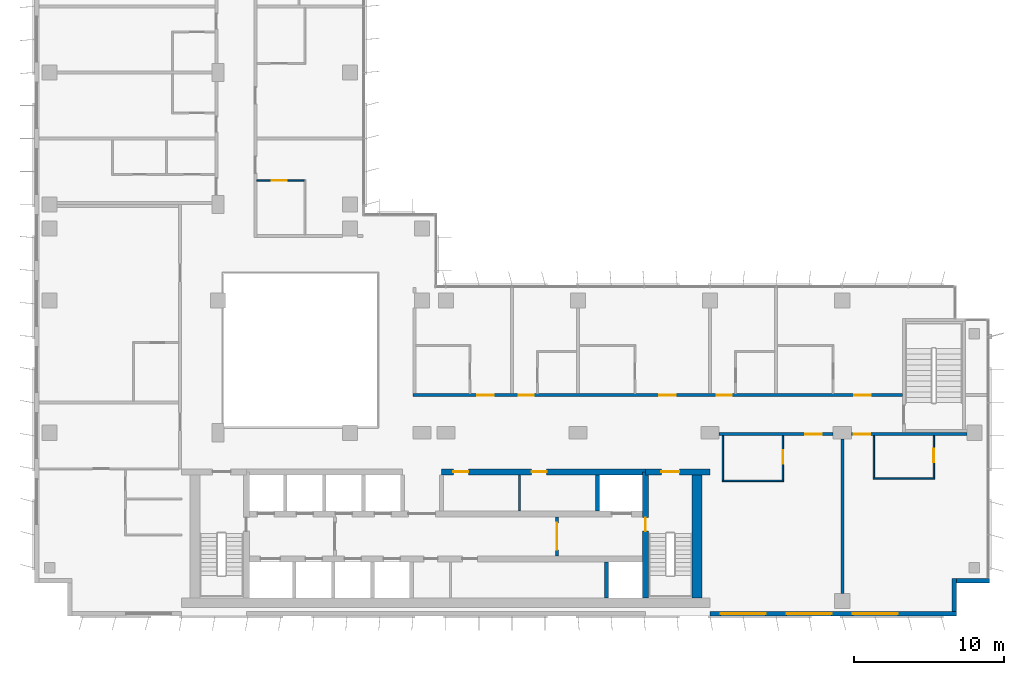
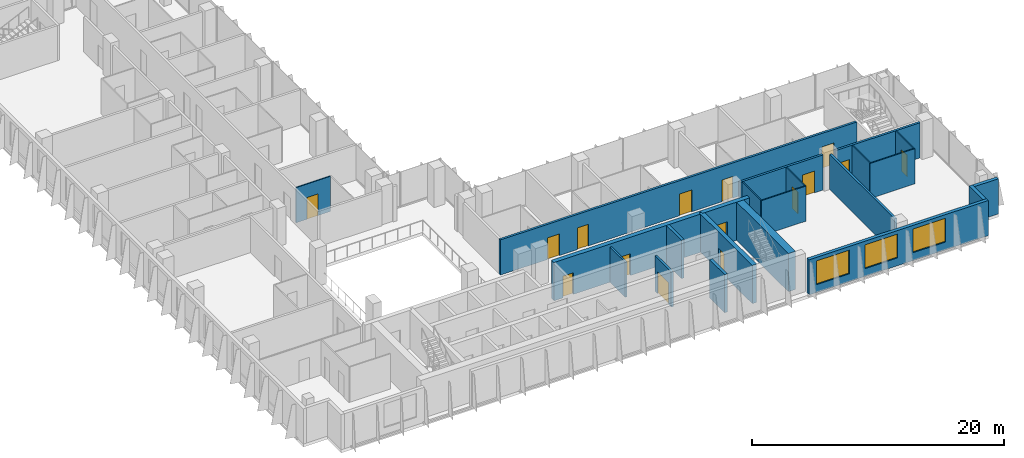
# One storey, part 14 of 21: 22 walls, 15 doors, 3 windows, 18 openings.
"""IFC4 building model written with IfcOpenShell, lengths in metres."""

from ifc_helpers import new_model, si_unit, direction, frame, frame_2d, origin, place, context, subcontext, project, spatial, rectangle, extrude, material, layer, layer_set, type_object, element, fill, save


model = new_model("IFC4")

# Units and contexts
model_context = context("Model", 3, precision=1e-05, world=origin(), true_north=direction((0.0, 1.0)))
body_context = subcontext(model_context, "Body", "Model", "MODEL_VIEW")
ifc_project = project(units=[si_unit("LENGTHUNIT", "METRE"), si_unit("AREAUNIT", "SQUARE_METRE"), si_unit("VOLUMEUNIT", "CUBIC_METRE"), si_unit("PLANEANGLEUNIT", "RADIAN"), si_unit("MASSUNIT", "GRAM", prefix="KILO")], contexts=[model_context])

# Site, building, storey
site_placement = place(None, origin())
site = spatial("IfcSite", under=ifc_project, at=site_placement, CompositionType="ELEMENT")
building_placement = place(site_placement, origin())
building = spatial("IfcBuilding", under=site, at=building_placement, Name="Kemantara Hotel Tower", CompositionType="ELEMENT")
storey_placement = place(building_placement, frame((0.0, 0.0, 164.199951171875)))
storey = spatial("IfcBuildingStorey", under=building, at=storey_placement, Name="L40", CompositionType="ELEMENT", Elevation=164.199951171875)

# Wall, openings, windows
ifc_material_1 = material(Name="Bronze anodised aluminium cladding on insulated steel stud wall", Category="steel")
ifc_layer_1 = layer(ifc_material_1, 0.300048828125)
ifc_layer_set_1 = layer_set([ifc_layer_1], Name="Bronze anodised aluminium cladding on insulated steel stud wall")
wall_type_1 = type_object("IfcWallType", Name="BRONZE METAL-CLAD EXTERNAL WALL 300", PredefinedType="STANDARD", material=ifc_layer_set_1)
wall_1_placement = place(storey_placement, frame((45.0, 0.14990234375, 0.0), z_axis=(0.0, 0.0, 1.0), x_axis=(1.0, 0.0, 0.0)))
wall_1 = element("IfcWall", 1, at=wall_1_placement, inside=storey, type_object=wall_type_1, Name="EXTERNAL WALL L40 T3-R08-3", PredefinedType="STANDARD", context=body_context, shape_type="SweptSolid", body=[
    extrude(rectangle(XDim=16.39990234375, YDim=0.300048828125, at=frame_2d((8.199951171875, 0.0))), origin(), (0.0, 0.0, 1.0), 3.400146484375),
])
opening_1_placement = place(wall_1_placement, frame((0.699951171875, 0.0, 0.75)))
opening_1 = element("IfcOpeningElement", 2, at=opening_1_placement, cuts=wall_1, Name="Opening W1", PredefinedType="OPENING", context=body_context, shape_type="SweptSolid", body=[
    extrude(rectangle(XDim=3.0, YDim=2.300048828125, at=frame_2d((1.5, 1.14990234375))), frame((0.0, 0.159912109375, 0.0), z_axis=(0.0, -1.0, 0.0), x_axis=(1.0, 0.0, 0.0)), (0.0, 0.0, 1.0), 0.320068359375),
])
opening_2_placement = place(wall_1_placement, frame((5.10009765625, 0.0, 0.75)))
opening_2 = element("IfcOpeningElement", 3, at=opening_2_placement, cuts=wall_1, Name="Opening W1", PredefinedType="OPENING", context=body_context, shape_type="SweptSolid", body=[
    extrude(rectangle(XDim=3.0, YDim=2.300048828125, at=frame_2d((1.5, 1.14990234375))), frame((0.0, 0.159912109375, 0.0), z_axis=(0.0, -1.0, 0.0), x_axis=(1.0, 0.0, 0.0)), (0.0, 0.0, 1.0), 0.320068359375),
])
opening_3_placement = place(wall_1_placement, frame((9.5, 0.0, 0.75)))
opening_3 = element("IfcOpeningElement", 4, at=opening_3_placement, cuts=wall_1, Name="Opening W1", PredefinedType="OPENING", context=body_context, shape_type="SweptSolid", body=[
    extrude(rectangle(XDim=3.0, YDim=2.300048828125, at=frame_2d((1.5, 1.14990234375))), frame((0.0, 0.159912109375, 0.0), z_axis=(0.0, -1.0, 0.0), x_axis=(1.0, 0.0, 0.0)), (0.0, 0.0, 1.0), 0.320068359375),
])
ifc_material_2 = material(Name="Low-E tinted double insulated glass in bronze anodised aluminium frame", Category="aluminium")
window_type = type_object("IfcWindowType", Name="CHICAGO WINDOW, TRIPLE PANEL 3000x2300", PartitioningType="TRIPLE_PANEL_VERTICAL", PredefinedType="WINDOW", material=ifc_material_2)
window_1_placement = place(opening_1_placement, origin())
window_1 = element("IfcWindow", 5, at=window_1_placement, inside=storey, type_object=window_type, Name="CHICAGO WINDOW L40 T3-R08-450", OverallHeight=2.300048828125, OverallWidth=3.0, PartitioningType="SINGLE_PANEL", PredefinedType="WINDOW", context=body_context, shape_type="SweptSolid", body=[
    extrude(rectangle(XDim=3.0, YDim=2.300048828125, at=frame_2d((1.5, 1.14990234375))), frame((0.0, 0.030029296875, 0.0), z_axis=(0.0, -1.0, 0.0), x_axis=(1.0, 0.0, 0.0)), (0.0, 0.0, 1.0), 0.06005859375),
])
fill(opening_1, window_1)
window_2_placement = place(opening_2_placement, origin())
window_2 = element("IfcWindow", 6, at=window_2_placement, inside=storey, type_object=window_type, Name="CHICAGO WINDOW L40 T3-R08-494", OverallHeight=2.300048828125, OverallWidth=3.0, PartitioningType="SINGLE_PANEL", PredefinedType="WINDOW", context=body_context, shape_type="SweptSolid", body=[
    extrude(rectangle(XDim=3.0, YDim=2.300048828125, at=frame_2d((1.5, 1.14990234375))), frame((0.0, 0.030029296875, 0.0), z_axis=(0.0, -1.0, 0.0), x_axis=(1.0, 0.0, 0.0)), (0.0, 0.0, 1.0), 0.06005859375),
])
fill(opening_2, window_2)
window_3_placement = place(opening_3_placement, origin())
window_3 = element("IfcWindow", 7, at=window_3_placement, inside=storey, type_object=window_type, Name="CHICAGO WINDOW L40 T3-R08-538", OverallHeight=2.300048828125, OverallWidth=3.0, PartitioningType="SINGLE_PANEL", PredefinedType="WINDOW", context=body_context, shape_type="SweptSolid", body=[
    extrude(rectangle(XDim=3.0, YDim=2.300048828125, at=frame_2d((1.5, 1.14990234375))), frame((0.0, 0.030029296875, 0.0), z_axis=(0.0, -1.0, 0.0), x_axis=(1.0, 0.0, 0.0)), (0.0, 0.0, 1.0), 0.06005859375),
])
fill(opening_3, window_3)

# Walls
wall_2_placement = place(storey_placement, frame((61.25, 0.300048828125, 0.0), z_axis=(0.0, 0.0, 1.0), x_axis=(0.0, 1.0, 0.0)))
element("IfcWall", 8, at=wall_2_placement, inside=storey, type_object=wall_type_1, Name="EXTERNAL WALL L40 T3-R09", PredefinedType="STANDARD", context=body_context, shape_type="SweptSolid", body=[
    extrude(rectangle(XDim=2.199951171875, YDim=0.300048828125, at=frame_2d((1.10009765625, 0.0))), origin(), (0.0, 0.0, 1.0), 3.400146484375),
])
wall_3_placement = place(storey_placement, frame((61.39990234375, 2.35009765625, 0.0), z_axis=(0.0, 0.0, 1.0), x_axis=(1.0, 0.0, 0.0)))
element("IfcWall", 9, at=wall_3_placement, inside=storey, type_object=wall_type_1, Name="EXTERNAL WALL L40 T3-R10", PredefinedType="STANDARD", context=body_context, shape_type="SweptSolid", body=[
    extrude(rectangle(XDim=2.2001953125, YDim=0.300048828125, at=frame_2d((1.10009765625, 0.0))), origin(), (0.0, 0.0, 1.0), 3.400146484375),
])
ifc_material_3 = material(Name="Concrete fc 60 MPa", Category="concrete")
ifc_layer_2 = layer(ifc_material_3, 0.25)
ifc_layer_set_2 = layer_set([ifc_layer_2], Name="Concrete fc 60 MPa")
wall_type_2 = type_object("IfcWallType", Name="CORE WALL 250 FC60", PredefinedType="SHEAR", material=ifc_layer_set_2)
wall_4_placement = place(storey_placement, frame((38.10009765625, 1.199951171875, 0.0), z_axis=(0.0, 0.0, 1.0), x_axis=(0.0, 1.0, 0.0)))
element("IfcWall", 10, at=wall_4_placement, inside=storey, type_object=wall_type_2, Name="CORE WALL CW-DS38.1", PredefinedType="SHEAR", context=body_context, shape_type="SweptSolid", body=[
    extrude(rectangle(XDim=2.400146484375, YDim=0.25, at=frame_2d((1.2001953125, 0.0))), origin(), (0.0, 0.0, 1.0), 3.699951171875),
])
wall_5_placement = place(storey_placement, frame((37.5, 7.0, 0.0), z_axis=(0.0, 0.0, 1.0), x_axis=(0.0, 1.0, 0.0)))
element("IfcWall", 11, at=wall_5_placement, inside=storey, type_object=wall_type_2, Name="CORE WALL CW-DN37.5", PredefinedType="SHEAR", context=body_context, shape_type="SweptSolid", body=[
    extrude(rectangle(XDim=2.39990234375, YDim=0.25, at=frame_2d((1.199951171875, 0.0))), origin(), (0.0, 0.0, 1.0), 3.699951171875),
])

# Wall, opening, door
ifc_layer_3 = layer(ifc_material_3, 0.39990234375)
ifc_layer_set_3 = layer_set([ifc_layer_3], Name="Concrete fc 60 MPa")
wall_type_3 = type_object("IfcWallType", Name="CORE WALL 400 FC60", PredefinedType="SHEAR", material=ifc_layer_set_3)
wall_6_placement = place(storey_placement, frame((40.699951171875, 9.60009765625, 0.0), z_axis=(0.0, 0.0, 1.0), x_axis=(1.0, 0.0, 0.0)))
wall_6 = element("IfcWall", 12, at=wall_6_placement, inside=storey, type_object=wall_type_3, Name="CORE WALL CW-N2", PredefinedType="SHEAR", context=body_context, shape_type="SweptSolid", body=[
    extrude(rectangle(XDim=4.300048828125, YDim=0.39990234375, at=frame_2d((2.14990234375, 0.0))), origin(), (0.0, 0.0, 1.0), 3.699951171875),
])
opening_4_placement = place(wall_6_placement, frame((1.050048828125, 0.0, 0.0)))
opening_4 = element("IfcOpeningElement", 13, at=opening_4_placement, cuts=wall_6, Name="Opening C25-ST2-C", PredefinedType="OPENING", context=body_context, shape_type="SweptSolid", body=[
    extrude(rectangle(XDim=1.199951171875, YDim=2.10009765625, at=frame_2d((0.60009765625, 1.050048828125))), frame((0.0, 0.2099609375, 0.0), z_axis=(0.0, -1.0, 0.0), x_axis=(1.0, 0.0, 0.0)), (0.0, 0.0, 1.0), 0.419921875),
])
ifc_material_4 = material(Name="Steel fire door", Category="steel")
door_type_1 = type_object("IfcDoorType", Name="Fire door FD90 1200 x 2100", OperationType="NOTDEFINED", PredefinedType="DOOR", material=ifc_material_4)
door_1_placement = place(opening_4_placement, frame((1.199951171875, 0.0, 0.0), z_axis=(0.0, 0.0, 1.0), x_axis=(-1.0, 0.0, 0.0)))
door_1 = element("IfcDoor", 14, at=door_1_placement, inside=storey, type_object=door_type_1, Name="Stair ST2 door to corridor", OperationType="SINGLE_SWING_RIGHT", OverallHeight=2.10009765625, OverallWidth=1.199951171875, PredefinedType="DOOR", context=body_context, shape_type="SweptSolid", body=[
    extrude(rectangle(XDim=1.199951171875, YDim=2.10009765625, at=frame_2d((0.60009765625, 1.050048828125))), frame((0.0, 0.02490234375, 0.0), z_axis=(0.0, -1.0, 0.0), x_axis=(1.0, 0.0, 0.0)), (0.0, 0.0, 1.0), 0.050048828125),
])
fill(opening_4, door_1)

# Wall, openings, doors
wall_7_placement = place(storey_placement, frame((27.10009765625, 9.60009765625, 0.0), z_axis=(0.0, 0.0, 1.0), x_axis=(1.0, 0.0, 0.0)))
wall_7 = element("IfcWall", 15, at=wall_7_placement, inside=storey, type_object=wall_type_3, Name="CORE WALL CW-NN2", PredefinedType="SHEAR", context=body_context, shape_type="SweptSolid", body=[
    extrude(rectangle(XDim=13.599853515625, YDim=0.39990234375, at=frame_2d((6.7998046875, 0.0))), origin(), (0.0, 0.0, 1.0), 3.699951171875),
])
opening_5_placement = place(wall_7_placement, frame((0.800048828125, 0.0, 0.0)))
opening_5 = element("IfcOpeningElement", 16, at=opening_5_placement, cuts=wall_7, Name="Opening C25-R-NE1", PredefinedType="OPENING", context=body_context, shape_type="SweptSolid", body=[
    extrude(rectangle(XDim=1.0, YDim=2.10009765625, at=frame_2d((0.5, 1.050048828125))), frame((0.0, 0.2099609375, 0.0), z_axis=(0.0, -1.0, 0.0), x_axis=(1.0, 0.0, 0.0)), (0.0, 0.0, 1.0), 0.419921875),
])
opening_6_placement = place(wall_7_placement, frame((6.0, 0.0, 0.0)))
opening_6 = element("IfcOpeningElement", 17, at=opening_6_placement, cuts=wall_7, Name="Opening C25-R-NE2", PredefinedType="OPENING", context=body_context, shape_type="SweptSolid", body=[
    extrude(rectangle(XDim=1.0, YDim=2.10009765625, at=frame_2d((0.5, 1.050048828125))), frame((0.0, 0.2099609375, 0.0), z_axis=(0.0, -1.0, 0.0), x_axis=(1.0, 0.0, 0.0)), (0.0, 0.0, 1.0), 0.419921875),
])
door_type_2 = type_object("IfcDoorType", Name="Fire door FD30S 1000 x 2100", OperationType="NOTDEFINED", PredefinedType="DOOR", material=ifc_material_4)
door_2_placement = place(opening_5_placement, frame((1.0, 0.0, 0.0), z_axis=(0.0, 0.0, 1.0), x_axis=(-1.0, 0.0, 0.0)))
door_2 = element("IfcDoor", 18, at=door_2_placement, inside=storey, type_object=door_type_2, Name="Housekeeping Store door", OperationType="SINGLE_SWING_RIGHT", OverallHeight=2.10009765625, OverallWidth=1.0, PredefinedType="DOOR", context=body_context, shape_type="SweptSolid", body=[
    extrude(rectangle(XDim=1.0, YDim=2.10009765625, at=frame_2d((0.5, 1.050048828125))), frame((0.0, 0.02490234375, 0.0), z_axis=(0.0, -1.0, 0.0), x_axis=(1.0, 0.0, 0.0)), (0.0, 0.0, 1.0), 0.050048828125),
])
fill(opening_5, door_2)
door_type_3 = type_object("IfcDoorType", Name="Fire door FD60 1000 x 2100", OperationType="NOTDEFINED", PredefinedType="DOOR", material=ifc_material_4)
door_3_placement = place(opening_6_placement, frame((1.0, 0.0, 0.0), z_axis=(0.0, 0.0, 1.0), x_axis=(-1.0, 0.0, 0.0)))
door_3 = element("IfcDoor", 19, at=door_3_placement, inside=storey, type_object=door_type_3, Name="It Equipment Room door", OperationType="SINGLE_SWING_RIGHT", OverallHeight=2.10009765625, OverallWidth=1.0, PredefinedType="DOOR", context=body_context, shape_type="SweptSolid", body=[
    extrude(rectangle(XDim=1.0, YDim=2.10009765625, at=frame_2d((0.5, 1.050048828125))), frame((0.0, 0.02490234375, 0.0), z_axis=(0.0, -1.0, 0.0), x_axis=(1.0, 0.0, 0.0)), (0.0, 0.0, 1.0), 0.050048828125),
])
fill(opening_6, door_3)

# Wall, opening, door
wall_8_placement = place(storey_placement, frame((40.699951171875, 1.199951171875, 0.0), z_axis=(0.0, 0.0, 1.0), x_axis=(0.0, 1.0, 0.0)))
wall_8 = element("IfcWall", 20, at=wall_8_placement, inside=storey, type_object=wall_type_3, Name="CORE WALL CW-ST2W", PredefinedType="SHEAR", context=body_context, shape_type="SweptSolid", body=[
    extrude(rectangle(XDim=8.400146484375, YDim=0.39990234375, at=frame_2d((4.2001953125, 0.0))), origin(), (0.0, 0.0, 1.0), 3.699951171875),
])
opening_7_placement = place(wall_8_placement, frame((4.449951171875, 0.0, 0.0)))
opening_7 = element("IfcOpeningElement", 21, at=opening_7_placement, cuts=wall_8, Name="Opening C25-ST2-F", PredefinedType="OPENING", context=body_context, shape_type="SweptSolid", body=[
    extrude(rectangle(XDim=0.89990234375, YDim=2.10009765625, at=frame_2d((0.449951171875, 1.050048828125))), frame((0.0, 0.2099609375, 0.0), z_axis=(0.0, -1.0, 0.0), x_axis=(1.0, 0.0, 0.0)), (0.0, 0.0, 1.0), 0.419921875),
])
door_type_4 = type_object("IfcDoorType", Name="Fire door FD90 900 x 2100", OperationType="NOTDEFINED", PredefinedType="DOOR", material=ifc_material_4)
door_4_placement = place(opening_7_placement, frame((0.89990234375, 0.0, 0.0), z_axis=(0.0, 0.0, 1.0), x_axis=(-1.0, 0.0, 0.0)))
door_4 = element("IfcDoor", 22, at=door_4_placement, inside=storey, type_object=door_type_4, Name="Stair ST2 door to firefighting lobby", OperationType="SINGLE_SWING_LEFT", OverallHeight=2.10009765625, OverallWidth=0.89990234375, PredefinedType="DOOR", context=body_context, shape_type="SweptSolid", body=[
    extrude(rectangle(XDim=0.89990234375, YDim=2.10009765625, at=frame_2d((0.449951171875, 1.050048828125))), frame((0.0, 0.02490234375, 0.0), z_axis=(0.0, -1.0, 0.0), x_axis=(1.0, 0.0, 0.0)), (0.0, 0.0, 1.0), 0.050048828125),
])
fill(opening_7, door_4)

# Wall
ifc_layer_4 = layer(ifc_material_3, 0.64990234375)
ifc_layer_set_4 = layer_set([ifc_layer_4], Name="Concrete fc 60 MPa")
wall_type_4 = type_object("IfcWallType", Name="CORE WALL 650 FC60", PredefinedType="SHEAR", material=ifc_layer_set_4)
wall_9_placement = place(storey_placement, frame((44.125, 1.199951171875, 0.0), z_axis=(0.0, 0.0, 1.0), x_axis=(0.0, 1.0, 0.0)))
element("IfcWall", 23, at=wall_9_placement, inside=storey, type_object=wall_type_4, Name="CORE WALL CW-E", PredefinedType="SHEAR", context=body_context, shape_type="SweptSolid", body=[
    extrude(rectangle(XDim=8.60009765625, YDim=0.64990234375, at=frame_2d((4.300048828125, 0.0))), origin(), (0.0, 0.0, 1.0), 3.699951171875),
])

# Wall, opening, door
ifc_material_5 = material(Name="Gypsum board partition, steel studs and mineral wool, 200 mm", Category="steel")
ifc_layer_5 = layer(ifc_material_5, 0.199951171875)
ifc_layer_set_5 = layer_set([ifc_layer_5], Name="Gypsum board partition, steel studs and mineral wool, 200 mm")
wall_type_5 = type_object("IfcWallType", Name="CORRIDOR WALL 200", PredefinedType="PARTITIONING", material=ifc_layer_set_5)
wall_10_placement = place(storey_placement, frame((53.199951171875, 12.10009765625, 0.0), z_axis=(0.0, 0.0, 1.0), x_axis=(-1.0, 0.0, 0.0)))
wall_10 = element("IfcWall", 24, at=wall_10_placement, inside=storey, type_object=wall_type_5, Name="CORRIDOR WALL 200 001", PredefinedType="PARTITIONING", context=body_context, shape_type="SweptSolid", body=[
    extrude(rectangle(XDim=7.599853515625, YDim=0.199951171875, at=frame_2d((3.7998046875, 0.0))), origin(), (0.0, 0.0, 1.0), 3.400146484375),
])
opening_8_placement = place(wall_10_placement, frame((0.75, 0.0, 0.0)))
opening_8 = element("IfcOpeningElement", 25, at=opening_8_placement, cuts=wall_10, Name="Opening F18-001", PredefinedType="OPENING", context=body_context, shape_type="SweptSolid", body=[
    extrude(rectangle(XDim=1.10009765625, YDim=2.10009765625, at=frame_2d((0.550048828125, 1.050048828125))), frame((0.0, 0.10986328125, 0.0), z_axis=(0.0, -1.0, 0.0), x_axis=(1.0, 0.0, 0.0)), (0.0, 0.0, 1.0), 0.219970703125),
])
ifc_material_6 = material(Name="Hardwood veneer door leaf with steel frame", Category="steel")
door_type_5 = type_object("IfcDoorType", Name="SUITE ENTRANCE DOOR 1100 X 2100 FD30S", OperationType="NOTDEFINED", PredefinedType="DOOR", material=ifc_material_6)
door_5_placement = place(opening_8_placement, origin())
door_5 = element("IfcDoor", 26, at=door_5_placement, inside=storey, type_object=door_type_5, Name="SUITE ENTRANCE DOOR F18-001", OperationType="SINGLE_SWING_LEFT", OverallHeight=2.10009765625, OverallWidth=1.10009765625, PredefinedType="DOOR", context=body_context, shape_type="SweptSolid", body=[
    extrude(rectangle(XDim=1.10009765625, YDim=2.10009765625, at=frame_2d((0.550048828125, 1.050048828125))), frame((0.0, 0.02490234375, 0.0), z_axis=(0.0, -1.0, 0.0), x_axis=(1.0, 0.0, 0.0)), (0.0, 0.0, 1.0), 0.050048828125),
])
fill(opening_8, door_5)

wall_11_placement = place(storey_placement, frame((62.099853515625, 12.10009765625, 0.0), z_axis=(0.0, 0.0, 1.0), x_axis=(-1.0, 0.0, 0.0)))
wall_11 = element("IfcWall", 27, at=wall_11_placement, inside=storey, type_object=wall_type_5, Name="CORRIDOR WALL 200 002", PredefinedType="PARTITIONING", context=body_context, shape_type="SweptSolid", body=[
    extrude(rectangle(XDim=7.69970703125, YDim=0.199951171875, at=frame_2d((3.849853515625, 0.0))), origin(), (0.0, 0.0, 1.0), 3.400146484375),
])
opening_9_placement = place(wall_11_placement, frame((6.449951171875, 0.0, 0.0)))
opening_9 = element("IfcOpeningElement", 28, at=opening_9_placement, cuts=wall_11, Name="Opening F18-003", PredefinedType="OPENING", context=body_context, shape_type="SweptSolid", body=[
    extrude(rectangle(XDim=1.10009765625, YDim=2.10009765625, at=frame_2d((0.550048828125, 1.050048828125))), frame((0.0, 0.10986328125, 0.0), z_axis=(0.0, -1.0, 0.0), x_axis=(1.0, 0.0, 0.0)), (0.0, 0.0, 1.0), 0.219970703125),
])
door_6_placement = place(opening_9_placement, origin())
door_6 = element("IfcDoor", 29, at=door_6_placement, inside=storey, type_object=door_type_5, Name="SUITE ENTRANCE DOOR F18-003", OperationType="SINGLE_SWING_LEFT", OverallHeight=2.10009765625, OverallWidth=1.10009765625, PredefinedType="DOOR", context=body_context, shape_type="SweptSolid", body=[
    extrude(rectangle(XDim=1.10009765625, YDim=2.10009765625, at=frame_2d((0.550048828125, 1.050048828125))), frame((0.0, 0.02490234375, 0.0), z_axis=(0.0, -1.0, 0.0), x_axis=(1.0, 0.0, 0.0)), (0.0, 0.0, 1.0), 0.050048828125),
])
fill(opening_9, door_6)

# Wall, openings, doors
wall_12_placement = place(storey_placement, frame((25.199951171875, 14.699951171875, 0.0), z_axis=(0.0, 0.0, 1.0), x_axis=(1.0, 0.0, 0.0)))
wall_12 = element("IfcWall", 30, at=wall_12_placement, inside=storey, type_object=wall_type_5, Name="CORRIDOR WALL 200 004", PredefinedType="PARTITIONING", context=body_context, shape_type="SweptSolid", body=[
    extrude(rectangle(XDim=32.60009765625, YDim=0.199951171875, at=frame_2d((16.300048828125, 0.0))), origin(), (0.0, 0.0, 1.0), 3.400146484375),
])
opening_10_placement = place(wall_12_placement, frame((4.300048828125, 0.0, 0.0)))
opening_10 = element("IfcOpeningElement", 31, at=opening_10_placement, cuts=wall_12, Name="Opening F18-005", PredefinedType="OPENING", context=body_context, shape_type="SweptSolid", body=[
    extrude(rectangle(XDim=1.10009765625, YDim=2.10009765625, at=frame_2d((0.550048828125, 1.050048828125))), frame((0.0, 0.10986328125, 0.0), z_axis=(0.0, -1.0, 0.0), x_axis=(1.0, 0.0, 0.0)), (0.0, 0.0, 1.0), 0.219970703125),
])
opening_11_placement = place(wall_12_placement, frame((7.050048828125, 0.0, 0.0)))
opening_11 = element("IfcOpeningElement", 32, at=opening_11_placement, cuts=wall_12, Name="Opening F18-007", PredefinedType="OPENING", context=body_context, shape_type="SweptSolid", body=[
    extrude(rectangle(XDim=1.0, YDim=2.10009765625, at=frame_2d((0.5, 1.050048828125))), frame((0.0, 0.10986328125, 0.0), z_axis=(0.0, -1.0, 0.0), x_axis=(1.0, 0.0, 0.0)), (0.0, 0.0, 1.0), 0.219970703125),
])
opening_12_placement = place(wall_12_placement, frame((16.39990234375, 0.0, 0.0)))
opening_12 = element("IfcOpeningElement", 33, at=opening_12_placement, cuts=wall_12, Name="Opening F18-009", PredefinedType="OPENING", context=body_context, shape_type="SweptSolid", body=[
    extrude(rectangle(XDim=1.10009765625, YDim=2.10009765625, at=frame_2d((0.550048828125, 1.050048828125))), frame((0.0, 0.10986328125, 0.0), z_axis=(0.0, -1.0, 0.0), x_axis=(1.0, 0.0, 0.0)), (0.0, 0.0, 1.0), 0.219970703125),
])
opening_13_placement = place(wall_12_placement, frame((20.25, 0.0, 0.0)))
opening_13 = element("IfcOpeningElement", 34, at=opening_13_placement, cuts=wall_12, Name="Opening F18-011", PredefinedType="OPENING", context=body_context, shape_type="SweptSolid", body=[
    extrude(rectangle(XDim=1.0, YDim=2.10009765625, at=frame_2d((0.5, 1.050048828125))), frame((0.0, 0.10986328125, 0.0), z_axis=(0.0, -1.0, 0.0), x_axis=(1.0, 0.0, 0.0)), (0.0, 0.0, 1.0), 0.219970703125),
])
opening_14_placement = place(wall_12_placement, frame((29.39990234375, 0.0, 0.0)))
opening_14 = element("IfcOpeningElement", 35, at=opening_14_placement, cuts=wall_12, Name="Opening F18-013", PredefinedType="OPENING", context=body_context, shape_type="SweptSolid", body=[
    extrude(rectangle(XDim=1.10009765625, YDim=2.10009765625, at=frame_2d((0.550048828125, 1.050048828125))), frame((0.0, 0.10986328125, 0.0), z_axis=(0.0, -1.0, 0.0), x_axis=(1.0, 0.0, 0.0)), (0.0, 0.0, 1.0), 0.219970703125),
])
door_type_6 = type_object("IfcDoorType", Name="GUEST ROOM DOOR 1000 X 2100 FD30S", OperationType="NOTDEFINED", PredefinedType="DOOR", material=ifc_material_6)
door_7_placement = place(opening_11_placement, origin())
door_7 = element("IfcDoor", 36, at=door_7_placement, inside=storey, type_object=door_type_6, Name="GUEST ROOM DOOR F18-007", OperationType="SINGLE_SWING_LEFT", OverallHeight=2.10009765625, OverallWidth=1.0, PredefinedType="DOOR", context=body_context, shape_type="SweptSolid", body=[
    extrude(rectangle(XDim=1.0, YDim=2.10009765625, at=frame_2d((0.5, 1.050048828125))), frame((0.0, 0.02490234375, 0.0), z_axis=(0.0, -1.0, 0.0), x_axis=(1.0, 0.0, 0.0)), (0.0, 0.0, 1.0), 0.050048828125),
])
fill(opening_11, door_7)
door_8_placement = place(opening_13_placement, origin())
door_8 = element("IfcDoor", 37, at=door_8_placement, inside=storey, type_object=door_type_6, Name="GUEST ROOM DOOR F18-011", OperationType="SINGLE_SWING_LEFT", OverallHeight=2.10009765625, OverallWidth=1.0, PredefinedType="DOOR", context=body_context, shape_type="SweptSolid", body=[
    extrude(rectangle(XDim=1.0, YDim=2.10009765625, at=frame_2d((0.5, 1.050048828125))), frame((0.0, 0.02490234375, 0.0), z_axis=(0.0, -1.0, 0.0), x_axis=(1.0, 0.0, 0.0)), (0.0, 0.0, 1.0), 0.050048828125),
])
fill(opening_13, door_8)
door_type_7 = type_object("IfcDoorType", Name="GUEST ROOM DOOR 1100 X 2100 FD30S", OperationType="NOTDEFINED", PredefinedType="DOOR", material=ifc_material_6)
door_9_placement = place(opening_10_placement, origin())
door_9 = element("IfcDoor", 38, at=door_9_placement, inside=storey, type_object=door_type_7, Name="GUEST ROOM DOOR F18-005", OperationType="SINGLE_SWING_RIGHT", OverallHeight=2.10009765625, OverallWidth=1.10009765625, PredefinedType="DOOR", context=body_context, shape_type="SweptSolid", body=[
    extrude(rectangle(XDim=1.10009765625, YDim=2.10009765625, at=frame_2d((0.550048828125, 1.050048828125))), frame((0.0, 0.02490234375, 0.0), z_axis=(0.0, -1.0, 0.0), x_axis=(1.0, 0.0, 0.0)), (0.0, 0.0, 1.0), 0.050048828125),
])
fill(opening_10, door_9)
door_10_placement = place(opening_12_placement, origin())
door_10 = element("IfcDoor", 39, at=door_10_placement, inside=storey, type_object=door_type_7, Name="GUEST ROOM DOOR F18-009", OperationType="SINGLE_SWING_RIGHT", OverallHeight=2.10009765625, OverallWidth=1.10009765625, PredefinedType="DOOR", context=body_context, shape_type="SweptSolid", body=[
    extrude(rectangle(XDim=1.10009765625, YDim=2.10009765625, at=frame_2d((0.550048828125, 1.050048828125))), frame((0.0, 0.02490234375, 0.0), z_axis=(0.0, -1.0, 0.0), x_axis=(1.0, 0.0, 0.0)), (0.0, 0.0, 1.0), 0.050048828125),
])
fill(opening_12, door_10)
door_11_placement = place(opening_14_placement, origin())
door_11 = element("IfcDoor", 40, at=door_11_placement, inside=storey, type_object=door_type_7, Name="GUEST ROOM DOOR F18-013", OperationType="SINGLE_SWING_RIGHT", OverallHeight=2.10009765625, OverallWidth=1.10009765625, PredefinedType="DOOR", context=body_context, shape_type="SweptSolid", body=[
    extrude(rectangle(XDim=1.10009765625, YDim=2.10009765625, at=frame_2d((0.550048828125, 1.050048828125))), frame((0.0, 0.02490234375, 0.0), z_axis=(0.0, -1.0, 0.0), x_axis=(1.0, 0.0, 0.0)), (0.0, 0.0, 1.0), 0.050048828125),
])
fill(opening_14, door_11)

# Walls
ifc_layer_6 = layer(ifc_material_5, 0.199951171875)
ifc_layer_set_6 = layer_set([ifc_layer_6], Name="Gypsum board partition, steel studs and mineral wool, 200 mm")
wall_type_6 = type_object("IfcWallType", Name="GUEST ROOM PARTY WALL 200", PredefinedType="PARTITIONING", material=ifc_layer_set_6)
wall_13_placement = place(storey_placement, frame((53.800048828125, 1.5, 0.0), z_axis=(0.0, 0.0, 1.0), x_axis=(0.0, 1.0, 0.0)))
element("IfcWall", 41, at=wall_13_placement, inside=storey, type_object=wall_type_6, Name="GUEST ROOM PARTY WALL 200 003", PredefinedType="PARTITIONING", context=body_context, shape_type="SweptSolid", body=[
    extrude(rectangle(XDim=10.2998046875, YDim=0.199951171875, at=frame_2d((5.14990234375, 0.0))), origin(), (0.0, 0.0, 1.0), 3.400146484375),
])
ifc_material_7 = material(Name="Gypsum board partition")
ifc_layer_7 = layer(ifc_material_7, 0.14990234375)
ifc_layer_set_7 = layer_set([ifc_layer_7], Name="Gypsum board partition")
wall_type_7 = type_object("IfcWallType", Name="Gypsum board partition 150 mm", PredefinedType="PARTITIONING", material=ifc_layer_set_7)
wall_14_placement = place(storey_placement, frame((32.300048828125, 7.0, 0.0), z_axis=(0.0, 0.0, 1.0), x_axis=(0.0, 1.0, 0.0)))
element("IfcWall", 42, at=wall_14_placement, inside=storey, type_object=wall_type_7, Name="Core room partition", PredefinedType="PARTITIONING", context=body_context, shape_type="SweptSolid", body=[
    extrude(rectangle(XDim=2.39990234375, YDim=0.14990234375, at=frame_2d((1.199951171875, 0.0))), origin(), (0.0, 0.0, 1.0), 3.400146484375),
])

# Wall, opening, door
ifc_material_8 = material(Name="Gypsum board shaft wall")
ifc_layer_8 = layer(ifc_material_8, 0.199951171875)
ifc_layer_set_8 = layer_set([ifc_layer_8], Name="Gypsum board shaft wall")
wall_type_8 = type_object("IfcWallType", Name="Gypsum board shaft wall 200 mm", PredefinedType="PARTITIONING", material=ifc_layer_set_8)
wall_15_placement = place(storey_placement, frame((34.800048828125, 4.0, 0.0), z_axis=(0.0, 0.0, 1.0), x_axis=(0.0, 1.0, 0.0)))
wall_15 = element("IfcWall", 43, at=wall_15_placement, inside=storey, type_object=wall_type_8, Name="Firefighting lobby partition east", PredefinedType="PARTITIONING", context=body_context, shape_type="SweptSolid", body=[
    extrude(rectangle(XDim=2.60009765625, YDim=0.199951171875, at=frame_2d((1.300048828125, 0.0))), origin(), (0.0, 0.0, 1.0), 3.400146484375),
])
opening_15_placement = place(wall_15_placement, frame((0.39990234375, 0.0, 0.0)))
opening_15 = element("IfcOpeningElement", 44, at=opening_15_placement, cuts=wall_15, Name="Opening C25-FFE", PredefinedType="OPENING", context=body_context, shape_type="SweptSolid", body=[
    extrude(rectangle(XDim=1.800048828125, YDim=2.10009765625, at=frame_2d((0.89990234375, 1.050048828125))), frame((0.0, 0.10986328125, 0.0), z_axis=(0.0, -1.0, 0.0), x_axis=(1.0, 0.0, 0.0)), (0.0, 0.0, 1.0), 0.219970703125),
])
door_type_8 = type_object("IfcDoorType", Name="Fire door pair FD60 1800 x 2100", OperationType="DOUBLE_DOOR_SINGLE_SWING", PredefinedType="DOOR", material=ifc_material_4)
door_12_placement = place(opening_15_placement, frame((1.800048828125, 0.0, 0.0), z_axis=(0.0, 0.0, 1.0), x_axis=(-1.0, 0.0, 0.0)))
door_12 = element("IfcDoor", 45, at=door_12_placement, inside=storey, type_object=door_type_8, Name="Firefighting lobby door east", OperationType="DOUBLE_DOOR_SINGLE_SWING", OverallHeight=2.10009765625, OverallWidth=1.800048828125, PredefinedType="DOOR", context=body_context, shape_type="SweptSolid", body=[
    extrude(rectangle(XDim=1.800048828125, YDim=2.10009765625, at=frame_2d((0.89990234375, 1.050048828125))), frame((0.0, 0.02490234375, 0.0), z_axis=(0.0, -1.0, 0.0), x_axis=(1.0, 0.0, 0.0)), (0.0, 0.0, 1.0), 0.050048828125),
])
fill(opening_15, door_12)

# Walls
ifc_material_9 = material(Name="Gypsum board partition on steel studs, 100 mm", Category="steel")
ifc_layer_9 = layer(ifc_material_9, 0.10009765625)
ifc_layer_set_9 = layer_set([ifc_layer_9], Name="Gypsum board partition on steel studs, 100 mm")
wall_type_9 = type_object("IfcWallType", Name="ROOM PARTITION 100", PredefinedType="PARTITIONING", material=ifc_layer_set_9)
wall_16_placement = place(storey_placement, frame((45.800048828125, 9.0, 0.0), z_axis=(0.0, 0.0, 1.0), x_axis=(1.0, 0.0, 0.0)))
element("IfcWall", 46, at=wall_16_placement, inside=storey, type_object=wall_type_9, Name="ROOM PARTITION 100 032", PredefinedType="PARTITIONING", context=body_context, shape_type="SweptSolid", body=[
    extrude(rectangle(XDim=4.099853515625, YDim=0.10009765625, at=frame_2d((2.0498046875, 0.0))), origin(), (0.0, 0.0, 1.0), 3.400146484375),
])
wall_17_placement = place(storey_placement, frame((45.85009765625, 9.050048828125, 0.0), z_axis=(0.0, 0.0, 1.0), x_axis=(0.0, 1.0, 0.0)))
element("IfcWall", 47, at=wall_17_placement, inside=storey, type_object=wall_type_9, Name="ROOM PARTITION 100 033", PredefinedType="PARTITIONING", context=body_context, shape_type="SweptSolid", body=[
    extrude(rectangle(XDim=2.949951171875, YDim=0.10009765625, at=frame_2d((1.47509765625, 0.0))), origin(), (0.0, 0.0, 1.0), 3.400146484375),
])

# Wall, opening, door
wall_18_placement = place(storey_placement, frame((49.85009765625, 9.050048828125, 0.0), z_axis=(0.0, 0.0, 1.0), x_axis=(0.0, 1.0, 0.0)))
wall_18 = element("IfcWall", 48, at=wall_18_placement, inside=storey, type_object=wall_type_9, Name="ROOM PARTITION 100 034", PredefinedType="PARTITIONING", context=body_context, shape_type="SweptSolid", body=[
    extrude(rectangle(XDim=2.949951171875, YDim=0.10009765625, at=frame_2d((1.47509765625, 0.0))), origin(), (0.0, 0.0, 1.0), 3.400146484375),
])
opening_16_placement = place(wall_18_placement, frame((1.10009765625, 0.0, 0.0)))
opening_16 = element("IfcOpeningElement", 49, at=opening_16_placement, cuts=wall_18, Name="Opening F18-002", PredefinedType="OPENING", context=body_context, shape_type="SweptSolid", body=[
    extrude(rectangle(XDim=0.89990234375, YDim=2.10009765625, at=frame_2d((0.449951171875, 1.050048828125))), frame((0.0, 0.06005859375, 0.0), z_axis=(0.0, -1.0, 0.0), x_axis=(1.0, 0.0, 0.0)), (0.0, 0.0, 1.0), 0.1201171875),
])
door_type_9 = type_object("IfcDoorType", Name="BATHROOM DOOR 900 X 2100", OperationType="NOTDEFINED", PredefinedType="DOOR", material=ifc_material_6)
door_13_placement = place(opening_16_placement, origin())
door_13 = element("IfcDoor", 50, at=door_13_placement, inside=storey, type_object=door_type_9, Name="BATHROOM DOOR F18-002", OperationType="SINGLE_SWING_RIGHT", OverallHeight=2.10009765625, OverallWidth=0.89990234375, PredefinedType="DOOR", context=body_context, shape_type="SweptSolid", body=[
    extrude(rectangle(XDim=0.89990234375, YDim=2.10009765625, at=frame_2d((0.449951171875, 1.050048828125))), frame((0.0, 0.02490234375, 0.0), z_axis=(0.0, -1.0, 0.0), x_axis=(1.0, 0.0, 0.0)), (0.0, 0.0, 1.0), 0.050048828125),
])
fill(opening_16, door_13)

# Walls
wall_19_placement = place(storey_placement, frame((55.85009765625, 9.14990234375, 0.0), z_axis=(0.0, 0.0, 1.0), x_axis=(1.0, 0.0, 0.0)))
element("IfcWall", 51, at=wall_19_placement, inside=storey, type_object=wall_type_9, Name="ROOM PARTITION 100 035", PredefinedType="PARTITIONING", context=body_context, shape_type="SweptSolid", body=[
    extrude(rectangle(XDim=4.099853515625, YDim=0.10009765625, at=frame_2d((2.0498046875, 0.0))), origin(), (0.0, 0.0, 1.0), 3.400146484375),
])
wall_20_placement = place(storey_placement, frame((55.89990234375, 9.199951171875, 0.0), z_axis=(0.0, 0.0, 1.0), x_axis=(0.0, 1.0, 0.0)))
element("IfcWall", 52, at=wall_20_placement, inside=storey, type_object=wall_type_9, Name="ROOM PARTITION 100 036", PredefinedType="PARTITIONING", context=body_context, shape_type="SweptSolid", body=[
    extrude(rectangle(XDim=2.800048828125, YDim=0.10009765625, at=frame_2d((1.39990234375, 0.0))), origin(), (0.0, 0.0, 1.0), 3.400146484375),
])

# Wall, opening, door
wall_21_placement = place(storey_placement, frame((59.89990234375, 9.199951171875, 0.0), z_axis=(0.0, 0.0, 1.0), x_axis=(0.0, 1.0, 0.0)))
wall_21 = element("IfcWall", 53, at=wall_21_placement, inside=storey, type_object=wall_type_9, Name="ROOM PARTITION 100 037", PredefinedType="PARTITIONING", context=body_context, shape_type="SweptSolid", body=[
    extrude(rectangle(XDim=2.800048828125, YDim=0.10009765625, at=frame_2d((1.39990234375, 0.0))), origin(), (0.0, 0.0, 1.0), 3.400146484375),
])
opening_17_placement = place(wall_21_placement, frame((1.050048828125, 0.0, 0.0)))
opening_17 = element("IfcOpeningElement", 54, at=opening_17_placement, cuts=wall_21, Name="Opening F18-004", PredefinedType="OPENING", context=body_context, shape_type="SweptSolid", body=[
    extrude(rectangle(XDim=0.89990234375, YDim=2.10009765625, at=frame_2d((0.449951171875, 1.050048828125))), frame((0.0, 0.06005859375, 0.0), z_axis=(0.0, -1.0, 0.0), x_axis=(1.0, 0.0, 0.0)), (0.0, 0.0, 1.0), 0.1201171875),
])
door_14_placement = place(opening_17_placement, origin())
door_14 = element("IfcDoor", 55, at=door_14_placement, inside=storey, type_object=door_type_9, Name="BATHROOM DOOR F18-004", OperationType="SINGLE_SWING_RIGHT", OverallHeight=2.10009765625, OverallWidth=0.89990234375, PredefinedType="DOOR", context=body_context, shape_type="SweptSolid", body=[
    extrude(rectangle(XDim=0.89990234375, YDim=2.10009765625, at=frame_2d((0.449951171875, 1.050048828125))), frame((0.0, 0.02490234375, 0.0), z_axis=(0.0, -1.0, 0.0), x_axis=(1.0, 0.0, 0.0)), (0.0, 0.0, 1.0), 0.050048828125),
])
fill(opening_17, door_14)

wall_22_placement = place(storey_placement, frame((17.949951171875, 29.0, 0.0), z_axis=(0.0, 0.0, 1.0), x_axis=(-1.0, 0.0, 0.0)))
wall_22 = element("IfcWall", 56, at=wall_22_placement, inside=storey, type_object=wall_type_9, Name="ROOM PARTITION 100 068", PredefinedType="PARTITIONING", context=body_context, shape_type="SweptSolid", body=[
    extrude(rectangle(XDim=3.14990234375, YDim=0.10009765625, at=frame_2d((1.574951171875, 0.0))), origin(), (0.0, 0.0, 1.0), 3.400146484375),
])
opening_18_placement = place(wall_22_placement, frame((1.14990234375, 0.0, 0.0)))
opening_18 = element("IfcOpeningElement", 57, at=opening_18_placement, cuts=wall_22, Name="Opening F18-033", PredefinedType="OPENING", context=body_context, shape_type="SweptSolid", body=[
    extrude(rectangle(XDim=1.0, YDim=2.10009765625, at=frame_2d((0.5, 1.050048828125))), frame((0.0, 0.06005859375, 0.0), z_axis=(0.0, -1.0, 0.0), x_axis=(1.0, 0.0, 0.0)), (0.0, 0.0, 1.0), 0.1201171875),
])
door_type_10 = type_object("IfcDoorType", Name="BATHROOM DOOR 1000 X 2100", OperationType="NOTDEFINED", PredefinedType="DOOR", material=ifc_material_6)
door_15_placement = place(opening_18_placement, origin())
door_15 = element("IfcDoor", 58, at=door_15_placement, inside=storey, type_object=door_type_10, Name="BATHROOM DOOR F18-033", OperationType="SINGLE_SWING_RIGHT", OverallHeight=2.10009765625, OverallWidth=1.0, PredefinedType="DOOR", context=body_context, shape_type="SweptSolid", body=[
    extrude(rectangle(XDim=1.0, YDim=2.10009765625, at=frame_2d((0.5, 1.050048828125))), frame((0.0, 0.02490234375, 0.0), z_axis=(0.0, -1.0, 0.0), x_axis=(1.0, 0.0, 0.0)), (0.0, 0.0, 1.0), 0.050048828125),
])
fill(opening_18, door_15)

save(model, "model.ifc")
